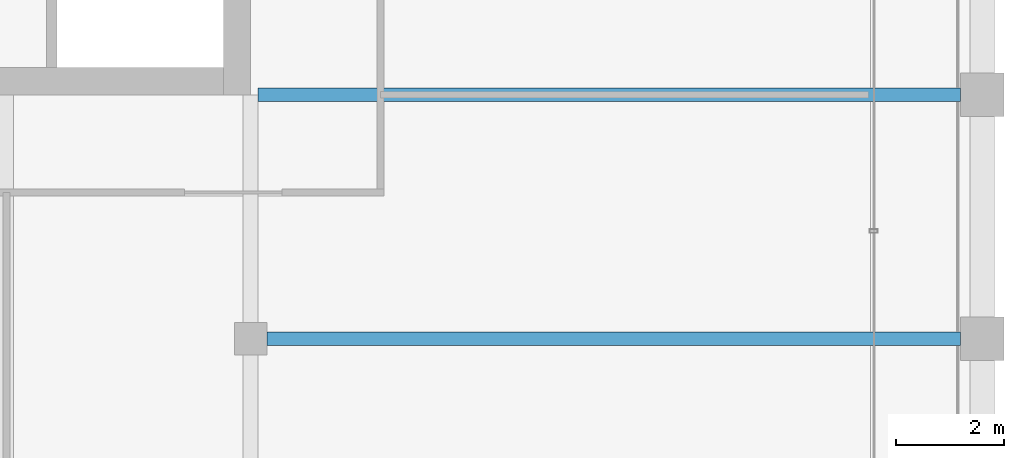
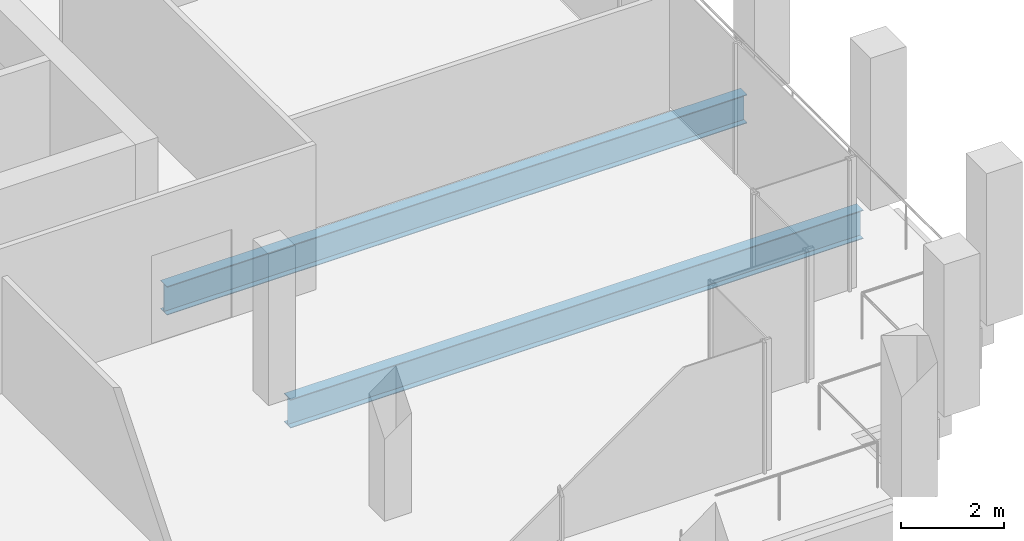
# One storey, part 14 of 30: 2 beams.
"""IFC4 building model written with IfcOpenShell, lengths in metres."""

from ifc_helpers import new_model, si_unit, direction, frame, origin, origin_2d, place, context, subcontext, project, spatial, i_section, extrude, material, material_profile, profile_set, type_object, element, save


model = new_model("IFC4")

# Units and contexts
model_context = context("Model", 3, precision=1e-05, world=origin(), true_north=direction((0.0, 1.0)))
body_context = subcontext(model_context, "Body", "Model", "MODEL_VIEW")
ifc_project = project(units=[si_unit("LENGTHUNIT", "METRE"), si_unit("AREAUNIT", "SQUARE_METRE"), si_unit("VOLUMEUNIT", "CUBIC_METRE"), si_unit("PLANEANGLEUNIT", "RADIAN"), si_unit("MASSUNIT", "GRAM", prefix="KILO")], contexts=[model_context])

# Site, building, storey
site_placement = place(None, origin())
site = spatial("IfcSite", under=ifc_project, at=site_placement, CompositionType="ELEMENT")
building_placement = place(site_placement, origin())
building = spatial("IfcBuilding", under=site, at=building_placement, Name="Altepetl Exchange Towers", CompositionType="ELEMENT")
storey_placement = place(building_placement, frame((0.0, 0.0, 238.800048828125)))
storey = spatial("IfcBuildingStorey", under=building, at=storey_placement, Name="L61", CompositionType="ELEMENT", Elevation=238.800048828125)

# Beams
ifc_material = material(Name="Steel S355", Category="steel")
ifc_material_profile = material_profile(ifc_material, i_section(OverallWidth=0.2529296875, OverallDepth=0.677978515625, WebThickness=0.01171875, FlangeThickness=0.016357421875, at=origin_2d()), Name="W27X84")
ifc_profile_set = profile_set([ifc_material_profile], Name="Steel S355")
beam_type = type_object("IfcBeamType", Name="Floor beam W27X84", PredefinedType="BEAM", material=ifc_profile_set)
beam_1_placement = place(storey_placement, frame((58.800048828125, 36.0, -0.489013671875), z_axis=(1.0, 0.0, 0.0), x_axis=(0.0, 1.0, 0.0)))
element("IfcBeam", 1, at=beam_1_placement, inside=storey, type_object=beam_type, Name="bm:A:L61:007", PredefinedType="BEAM", context=body_context, shape_type="SweptSolid", body=[
    extrude(i_section(OverallWidth=0.2529296875, OverallDepth=0.677978515625, WebThickness=0.01171875, FlangeThickness=0.016357421875, at=origin_2d()), origin(), (0.0, 0.0, 1.0), 12.800048828125),
])
beam_2_placement = place(storey_placement, frame((58.634033203125, 40.5, -0.489013671875), z_axis=(1.0, 0.0, 0.0), x_axis=(0.0, 1.0, 0.0)))
element("IfcBeam", 2, at=beam_2_placement, inside=storey, type_object=beam_type, Name="bm:A:L61:008", PredefinedType="BEAM", context=body_context, shape_type="SweptSolid", body=[
    extrude(i_section(OverallWidth=0.2529296875, OverallDepth=0.677978515625, WebThickness=0.01171875, FlangeThickness=0.016357421875, at=origin_2d()), origin(), (0.0, 0.0, 1.0), 12.966064453125),
])

save(model, "model.ifc")
